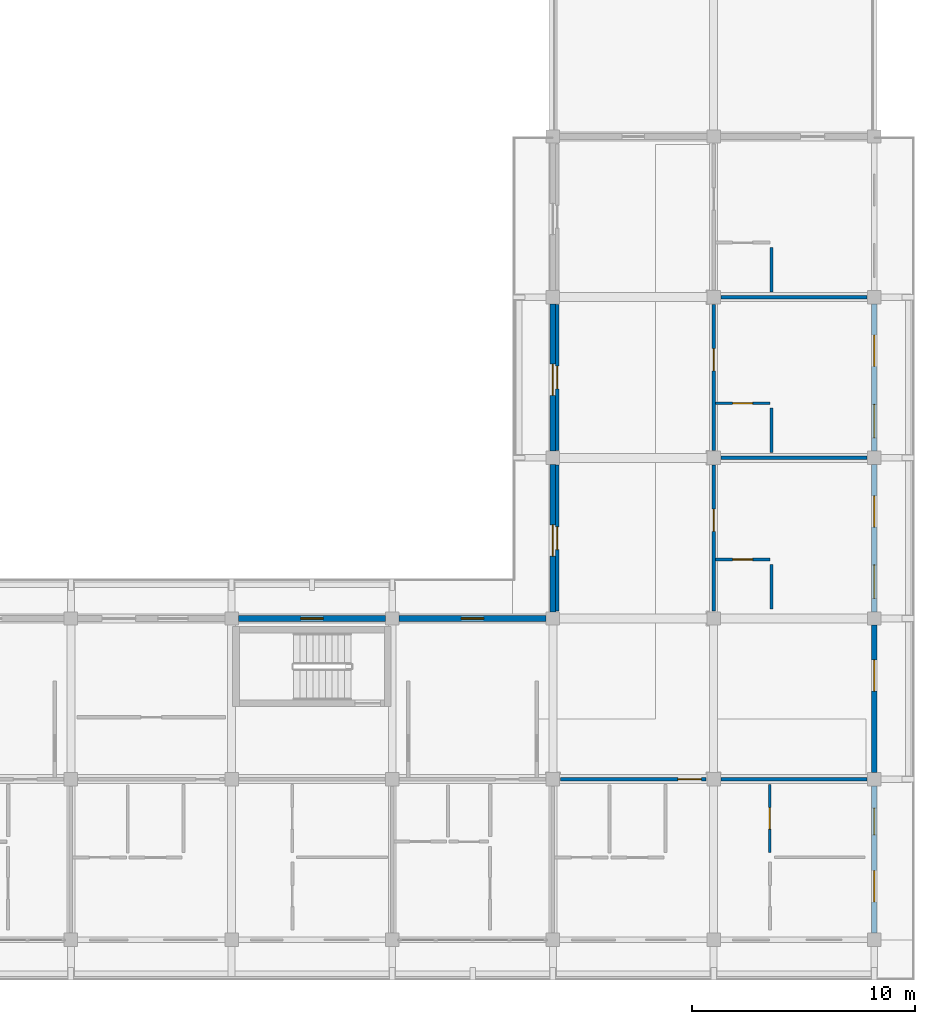
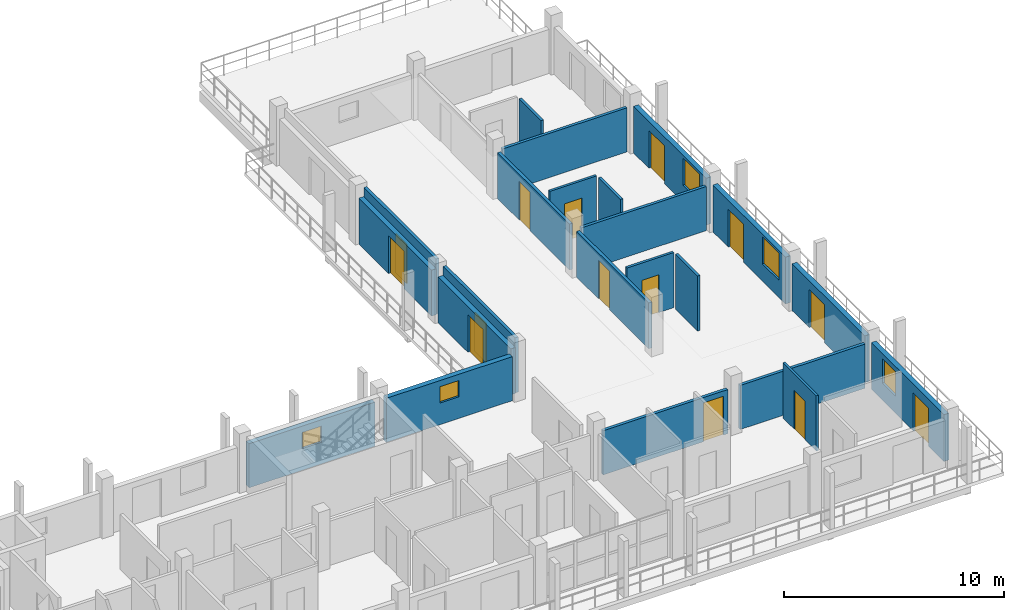
# One storey, part 52 of 75: 22 walls, 14 doors, 5 windows, 19 openings.
"""IFC4 building model written with IfcOpenShell, lengths in metres."""

from ifc_helpers import new_model, si_unit, direction, frame, frame_2d, origin, place, context, subcontext, project, spatial, rectangle, extrude, material, layer, layer_set, type_object, element, fill, save


model = new_model("IFC4")

# Units and contexts
model_context = context("Model", 3, precision=1e-05, world=origin(), true_north=direction((0.0, 1.0)))
body_context = subcontext(model_context, "Body", "Model", "MODEL_VIEW")
ifc_project = project(units=[si_unit("LENGTHUNIT", "METRE"), si_unit("AREAUNIT", "SQUARE_METRE"), si_unit("VOLUMEUNIT", "CUBIC_METRE"), si_unit("PLANEANGLEUNIT", "RADIAN"), si_unit("MASSUNIT", "GRAM", prefix="KILO")], contexts=[model_context])

# Site, building, storey
site_placement = place(None, origin())
site = spatial("IfcSite", under=ifc_project, at=site_placement, CompositionType="ELEMENT")
building_placement = place(site_placement, origin())
building = spatial("IfcBuilding", under=site, at=building_placement, Name="Suanplinth Sawtooth Commons", CompositionType="ELEMENT")
storey_placement = place(building_placement, frame((0.0, 0.0, 18.60009765625)))
storey = spatial("IfcBuildingStorey", under=building, at=storey_placement, Name="L05", CompositionType="ELEMENT", Elevation=18.60009765625)

# Wall, opening, window
ifc_material_1 = material(Name="Precast concrete C40/50", Category="concrete")
ifc_layer_1 = layer(ifc_material_1, 0.260009765625, Name="Insulated precast courtyard facade wall 260mm")
ifc_layer_set_1 = layer_set([ifc_layer_1], Name="Precast concrete C40/50")
wall_type_1 = type_object("IfcWallType", Name="W-EX02", PredefinedType="ELEMENTEDWALL", material=ifc_layer_set_1)
wall_1_placement = place(storey_placement, frame((158.699951171875, 14.39990234375, 0.0), z_axis=(0.0, 0.0, 1.0), x_axis=(1.0, 0.0, 0.0)))
wall_1 = element("IfcWall", 1, at=wall_1_placement, inside=storey, type_object=wall_type_1, Name="Facade Wall W-L05-C-N-22-1", PredefinedType="ELEMENTEDWALL", context=body_context, shape_type="SweptSolid", body=[
    extrude(rectangle(XDim=6.60009765625, YDim=0.260009765625, at=frame_2d((3.300048828125, 0.0))), origin(), (0.0, 0.0, 1.0), 2.44482421875),
])
opening_1_placement = place(wall_1_placement, frame((2.800048828125, 0.0, 1.199951171875)))
opening_1 = element("IfcOpeningElement", 2, at=opening_1_placement, cuts=wall_1, Name="Opening W0541", PredefinedType="OPENING", context=body_context, shape_type="SweptSolid", body=[
    extrude(rectangle(XDim=1.0, YDim=0.89990234375, at=frame_2d((0.5, 0.449951171875))), frame((0.0, 0.14501953125, 0.0), z_axis=(0.0, -1.0, 0.0), x_axis=(1.0, 0.0, 0.0)), (0.0, 0.0, 1.0), 0.289794921875),
])
ifc_material_2 = material(Name="Thermally broken aluminium and low-E double glazing", Category="aluminium")
window_type_1 = type_object("IfcWindowType", Name="WN-12", PartitioningType="SINGLE_PANEL", PredefinedType="WINDOW", material=ifc_material_2)
window_1_placement = place(opening_1_placement, origin())
window_1 = element("IfcWindow", 3, at=window_1_placement, inside=storey, type_object=window_type_1, Name="Core Daylight Window L05-C-22-1", OverallHeight=0.89990234375, OverallWidth=1.0, PartitioningType="SINGLE_PANEL", PredefinedType="WINDOW", context=body_context, shape_type="SweptSolid", body=[
    extrude(rectangle(XDim=1.0, YDim=0.89990234375, at=frame_2d((0.5, 0.449951171875))), frame((0.0, 0.030029296875, 0.0), z_axis=(0.0, -1.0, 0.0), x_axis=(1.0, 0.0, 0.0)), (0.0, 0.0, 1.0), 0.06005859375),
])
fill(opening_1, window_1)

wall_2_placement = place(storey_placement, frame((165.89990234375, 14.39990234375, 0.0), z_axis=(0.0, 0.0, 1.0), x_axis=(1.0, 0.0, 0.0)))
wall_2 = element("IfcWall", 4, at=wall_2_placement, inside=storey, type_object=wall_type_1, Name="Facade Wall W-L05-C-N-23-1", PredefinedType="ELEMENTEDWALL", context=body_context, shape_type="SweptSolid", body=[
    extrude(rectangle(XDim=6.60009765625, YDim=0.260009765625, at=frame_2d((3.300048828125, 0.0))), origin(), (0.0, 0.0, 1.0), 2.44482421875),
])
opening_2_placement = place(wall_2_placement, frame((2.800048828125, 0.0, 1.199951171875)))
opening_2 = element("IfcOpeningElement", 5, at=opening_2_placement, cuts=wall_2, Name="Opening W0542", PredefinedType="OPENING", context=body_context, shape_type="SweptSolid", body=[
    extrude(rectangle(XDim=1.0, YDim=0.89990234375, at=frame_2d((0.5, 0.449951171875))), frame((0.0, 0.14501953125, 0.0), z_axis=(0.0, -1.0, 0.0), x_axis=(1.0, 0.0, 0.0)), (0.0, 0.0, 1.0), 0.289794921875),
])
window_2_placement = place(opening_2_placement, origin())
window_2 = element("IfcWindow", 6, at=window_2_placement, inside=storey, type_object=window_type_1, Name="Core Daylight Window L05-C-23-1", OverallHeight=0.89990234375, OverallWidth=1.0, PartitioningType="SINGLE_PANEL", PredefinedType="WINDOW", context=body_context, shape_type="SweptSolid", body=[
    extrude(rectangle(XDim=1.0, YDim=0.89990234375, at=frame_2d((0.5, 0.449951171875))), frame((0.0, 0.030029296875, 0.0), z_axis=(0.0, -1.0, 0.0), x_axis=(1.0, 0.0, 0.0)), (0.0, 0.0, 1.0), 0.06005859375),
])
fill(opening_2, window_2)

# Wall, opening, door
wall_3_placement = place(storey_placement, frame((172.800048828125, 14.699951171875, 0.0), z_axis=(0.0, 0.0, 1.0), x_axis=(0.0, 1.0, 0.0)))
wall_3 = element("IfcWall", 7, at=wall_3_placement, inside=storey, type_object=wall_type_1, Name="Facade Wall W-L05-C-W-24-2", PredefinedType="ELEMENTEDWALL", context=body_context, shape_type="SweptSolid", body=[
    extrude(rectangle(XDim=6.60009765625, YDim=0.260009765625, at=frame_2d((3.300048828125, 0.0))), origin(), (0.0, 0.0, 1.0), 2.544921875),
])
opening_3_placement = place(wall_3_placement, frame((2.5, 0.0, 0.0)))
opening_3 = element("IfcOpeningElement", 8, at=opening_3_placement, cuts=wall_3, Name="Opening ED0451", PredefinedType="OPENING", context=body_context, shape_type="SweptSolid", body=[
    extrude(rectangle(XDim=1.39990234375, YDim=2.10009765625, at=frame_2d((0.699951171875, 1.050048828125))), frame((0.0, 0.14501953125, 0.0), z_axis=(0.0, -1.0, 0.0), x_axis=(1.0, 0.0, 0.0)), (0.0, 0.0, 1.0), 0.289794921875),
])
ifc_material_3 = material(Name="Anodized aluminium and low-E glass", Category="aluminium")
door_type_1 = type_object("IfcDoorType", Name="SD-07", OperationType="SLIDING_TO_RIGHT", PredefinedType="DOOR", material=ifc_material_3)
door_1_placement = place(opening_3_placement, frame((1.39990234375, 0.0, 0.0), z_axis=(0.0, 0.0, 1.0), x_axis=(-1.0, 0.0, 0.0)))
door_1 = element("IfcDoor", 9, at=door_1_placement, inside=storey, type_object=door_type_1, Name="Courtyard Veranda Studio Balcony Door L05-C-2", OperationType="SLIDING_TO_RIGHT", OverallHeight=2.10009765625, OverallWidth=1.39990234375, PredefinedType="DOOR", context=body_context, shape_type="SweptSolid", body=[
    extrude(rectangle(XDim=1.39990234375, YDim=2.10009765625, at=frame_2d((0.699951171875, 1.050048828125))), frame((0.0, 0.02490234375, 0.0), z_axis=(0.0, -1.0, 0.0), x_axis=(1.0, 0.0, 0.0)), (0.0, 0.0, 1.0), 0.050048828125),
])
fill(opening_3, door_1)

wall_4_placement = place(storey_placement, frame((172.800048828125, 21.89990234375, 0.0), z_axis=(0.0, 0.0, 1.0), x_axis=(0.0, 1.0, 0.0)))
wall_4 = element("IfcWall", 10, at=wall_4_placement, inside=storey, type_object=wall_type_1, Name="Facade Wall W-L05-C-W-24-3", PredefinedType="ELEMENTEDWALL", context=body_context, shape_type="SweptSolid", body=[
    extrude(rectangle(XDim=6.60009765625, YDim=0.260009765625, at=frame_2d((3.300048828125, 0.0))), origin(), (0.0, 0.0, 1.0), 2.544921875),
])
opening_4_placement = place(wall_4_placement, frame((2.5, 0.0, 0.0)))
opening_4 = element("IfcOpeningElement", 11, at=opening_4_placement, cuts=wall_4, Name="Opening ED0452", PredefinedType="OPENING", context=body_context, shape_type="SweptSolid", body=[
    extrude(rectangle(XDim=1.39990234375, YDim=2.10009765625, at=frame_2d((0.699951171875, 1.050048828125))), frame((0.0, 0.14501953125, 0.0), z_axis=(0.0, -1.0, 0.0), x_axis=(1.0, 0.0, 0.0)), (0.0, 0.0, 1.0), 0.289794921875),
])
door_2_placement = place(opening_4_placement, frame((1.39990234375, 0.0, 0.0), z_axis=(0.0, 0.0, 1.0), x_axis=(-1.0, 0.0, 0.0)))
door_2 = element("IfcDoor", 12, at=door_2_placement, inside=storey, type_object=door_type_1, Name="Courtyard Veranda Studio Balcony Door L05-C-3", OperationType="SLIDING_TO_RIGHT", OverallHeight=2.10009765625, OverallWidth=1.39990234375, PredefinedType="DOOR", context=body_context, shape_type="SweptSolid", body=[
    extrude(rectangle(XDim=1.39990234375, YDim=2.10009765625, at=frame_2d((0.699951171875, 1.050048828125))), frame((0.0, 0.02490234375, 0.0), z_axis=(0.0, -1.0, 0.0), x_axis=(1.0, 0.0, 0.0)), (0.0, 0.0, 1.0), 0.050048828125),
])
fill(opening_4, door_2)

# Wall, openings, door, window
wall_5_placement = place(storey_placement, frame((187.199951171875, 0.300048828125, 0.0), z_axis=(0.0, 0.0, 1.0), x_axis=(0.0, 1.0, 0.0)))
wall_5 = element("IfcWall", 13, at=wall_5_placement, inside=storey, type_object=wall_type_1, Name="Facade Wall W-L05-C-E-25-0", PredefinedType="ELEMENTEDWALL", context=body_context, shape_type="SweptSolid", body=[
    extrude(rectangle(XDim=6.599853515625, YDim=0.260009765625, at=frame_2d((3.2998046875, 0.0))), origin(), (0.0, 0.0, 1.0), 2.594970703125),
])
opening_5_placement = place(wall_5_placement, frame((1.39990234375, 0.0, 0.0)))
opening_5 = element("IfcOpeningElement", 14, at=opening_5_placement, cuts=wall_5, Name="Opening ED0455", PredefinedType="OPENING", context=body_context, shape_type="SweptSolid", body=[
    extrude(rectangle(XDim=1.39990234375, YDim=2.10009765625, at=frame_2d((0.699951171875, 1.050048828125))), frame((0.0, 0.14501953125, 0.0), z_axis=(0.0, -1.0, 0.0), x_axis=(1.0, 0.0, 0.0)), (0.0, 0.0, 1.0), 0.289794921875),
])
opening_6_placement = place(wall_5_placement, frame((4.39990234375, 0.0, 0.949951171875)))
opening_6 = element("IfcOpeningElement", 15, at=opening_6_placement, cuts=wall_5, Name="Opening W0546", PredefinedType="OPENING", context=body_context, shape_type="SweptSolid", body=[
    extrude(rectangle(XDim=1.199951171875, YDim=1.35009765625, at=frame_2d((0.60009765625, 0.675048828125))), frame((0.0, 0.14501953125, 0.0), z_axis=(0.0, -1.0, 0.0), x_axis=(1.0, 0.0, 0.0)), (0.0, 0.0, 1.0), 0.289794921875),
])
door_3_placement = place(opening_5_placement, frame((1.39990234375, 0.0, 0.0), z_axis=(0.0, 0.0, 1.0), x_axis=(-1.0, 0.0, 0.0)))
door_3 = element("IfcDoor", 16, at=door_3_placement, inside=storey, type_object=door_type_1, Name="End Balcony Sliding Door L05-C-E-25-0", OperationType="SLIDING_TO_RIGHT", OverallHeight=2.10009765625, OverallWidth=1.39990234375, PredefinedType="DOOR", context=body_context, shape_type="SweptSolid", body=[
    extrude(rectangle(XDim=1.39990234375, YDim=2.10009765625, at=frame_2d((0.699951171875, 1.050048828125))), frame((0.0, 0.02490234375, 0.0), z_axis=(0.0, -1.0, 0.0), x_axis=(1.0, 0.0, 0.0)), (0.0, 0.0, 1.0), 0.050048828125),
])
fill(opening_5, door_3)
window_type_2 = type_object("IfcWindowType", Name="WN-03", PartitioningType="SINGLE_PANEL", PredefinedType="WINDOW", material=ifc_material_2)
window_3_placement = place(opening_6_placement, origin())
window_3 = element("IfcWindow", 17, at=window_3_placement, inside=storey, type_object=window_type_2, Name="End Bedroom Window L05-C-25-0", OverallHeight=1.35009765625, OverallWidth=1.199951171875, PartitioningType="SINGLE_PANEL", PredefinedType="WINDOW", context=body_context, shape_type="SweptSolid", body=[
    extrude(rectangle(XDim=1.199951171875, YDim=1.35009765625, at=frame_2d((0.60009765625, 0.675048828125))), frame((0.0, 0.030029296875, 0.0), z_axis=(0.0, -1.0, 0.0), x_axis=(1.0, 0.0, 0.0)), (0.0, 0.0, 1.0), 0.06005859375),
])
fill(opening_6, window_3)

# Wall, opening, door
wall_6_placement = place(storey_placement, frame((187.199951171875, 7.5, 0.0), z_axis=(0.0, 0.0, 1.0), x_axis=(0.0, 1.0, 0.0)))
wall_6 = element("IfcWall", 18, at=wall_6_placement, inside=storey, type_object=wall_type_1, Name="Facade Wall W-L05-C-E-25-1", PredefinedType="ELEMENTEDWALL", context=body_context, shape_type="SweptSolid", body=[
    extrude(rectangle(XDim=6.60009765625, YDim=0.260009765625, at=frame_2d((3.300048828125, 0.0))), origin(), (0.0, 0.0, 1.0), 2.594970703125),
])
opening_7_placement = place(wall_6_placement, frame((3.64990234375, 0.0, 0.0)))
opening_7 = element("IfcOpeningElement", 19, at=opening_7_placement, cuts=wall_6, Name="Opening ED0456", PredefinedType="OPENING", context=body_context, shape_type="SweptSolid", body=[
    extrude(rectangle(XDim=1.39990234375, YDim=2.10009765625, at=frame_2d((0.699951171875, 1.050048828125))), frame((0.0, 0.14501953125, 0.0), z_axis=(0.0, -1.0, 0.0), x_axis=(1.0, 0.0, 0.0)), (0.0, 0.0, 1.0), 0.289794921875),
])
door_4_placement = place(opening_7_placement, frame((1.39990234375, 0.0, 0.0), z_axis=(0.0, 0.0, 1.0), x_axis=(-1.0, 0.0, 0.0)))
door_4 = element("IfcDoor", 20, at=door_4_placement, inside=storey, type_object=door_type_1, Name="End Balcony Sliding Door L05-C-E-25-1", OperationType="SLIDING_TO_RIGHT", OverallHeight=2.10009765625, OverallWidth=1.39990234375, PredefinedType="DOOR", context=body_context, shape_type="SweptSolid", body=[
    extrude(rectangle(XDim=1.39990234375, YDim=2.10009765625, at=frame_2d((0.699951171875, 1.050048828125))), frame((0.0, 0.02490234375, 0.0), z_axis=(0.0, -1.0, 0.0), x_axis=(1.0, 0.0, 0.0)), (0.0, 0.0, 1.0), 0.050048828125),
])
fill(opening_7, door_4)

# Wall, openings, door, window
wall_7_placement = place(storey_placement, frame((187.199951171875, 14.699951171875, 0.0), z_axis=(0.0, 0.0, 1.0), x_axis=(0.0, 1.0, 0.0)))
wall_7 = element("IfcWall", 21, at=wall_7_placement, inside=storey, type_object=wall_type_1, Name="Facade Wall W-L05-C-E-25-2", PredefinedType="ELEMENTEDWALL", context=body_context, shape_type="SweptSolid", body=[
    extrude(rectangle(XDim=6.60009765625, YDim=0.260009765625, at=frame_2d((3.300048828125, 0.0))), origin(), (0.0, 0.0, 1.0), 2.594970703125),
])
opening_8_placement = place(wall_7_placement, frame((3.800048828125, 0.0, 0.0)))
opening_8 = element("IfcOpeningElement", 22, at=opening_8_placement, cuts=wall_7, Name="Opening ED0457", PredefinedType="OPENING", context=body_context, shape_type="SweptSolid", body=[
    extrude(rectangle(XDim=1.39990234375, YDim=2.10009765625, at=frame_2d((0.699951171875, 1.050048828125))), frame((0.0, 0.14501953125, 0.0), z_axis=(0.0, -1.0, 0.0), x_axis=(1.0, 0.0, 0.0)), (0.0, 0.0, 1.0), 0.289794921875),
])
opening_9_placement = place(wall_7_placement, frame((0.60009765625, 0.0, 0.949951171875)))
opening_9 = element("IfcOpeningElement", 23, at=opening_9_placement, cuts=wall_7, Name="Opening W0547", PredefinedType="OPENING", context=body_context, shape_type="SweptSolid", body=[
    extrude(rectangle(XDim=1.5, YDim=1.5, at=frame_2d((0.75, 0.75))), frame((0.0, 0.14501953125, 0.0), z_axis=(0.0, -1.0, 0.0), x_axis=(1.0, 0.0, 0.0)), (0.0, 0.0, 1.0), 0.289794921875),
])
door_5_placement = place(opening_8_placement, frame((1.39990234375, 0.0, 0.0), z_axis=(0.0, 0.0, 1.0), x_axis=(-1.0, 0.0, 0.0)))
door_5 = element("IfcDoor", 24, at=door_5_placement, inside=storey, type_object=door_type_1, Name="Wing Balcony Sliding Door L05-C-2", OperationType="SLIDING_TO_RIGHT", OverallHeight=2.10009765625, OverallWidth=1.39990234375, PredefinedType="DOOR", context=body_context, shape_type="SweptSolid", body=[
    extrude(rectangle(XDim=1.39990234375, YDim=2.10009765625, at=frame_2d((0.699951171875, 1.050048828125))), frame((0.0, 0.02490234375, 0.0), z_axis=(0.0, -1.0, 0.0), x_axis=(1.0, 0.0, 0.0)), (0.0, 0.0, 1.0), 0.050048828125),
])
fill(opening_8, door_5)
window_type_3 = type_object("IfcWindowType", Name="WN-02", PartitioningType="DOUBLE_PANEL_VERTICAL", PredefinedType="WINDOW", material=ifc_material_2)
window_4_placement = place(opening_9_placement, origin())
window_4 = element("IfcWindow", 25, at=window_4_placement, inside=storey, type_object=window_type_3, Name="Wing Window L05-C-2", OverallHeight=1.5, OverallWidth=1.5, PartitioningType="DOUBLE_PANEL_VERTICAL", PredefinedType="WINDOW", context=body_context, shape_type="SweptSolid", body=[
    extrude(rectangle(XDim=1.5, YDim=1.5, at=frame_2d((0.75, 0.75))), frame((0.0, 0.030029296875, 0.0), z_axis=(0.0, -1.0, 0.0), x_axis=(1.0, 0.0, 0.0)), (0.0, 0.0, 1.0), 0.06005859375),
])
fill(opening_9, window_4)

wall_8_placement = place(storey_placement, frame((187.199951171875, 21.89990234375, 0.0), z_axis=(0.0, 0.0, 1.0), x_axis=(0.0, 1.0, 0.0)))
wall_8 = element("IfcWall", 26, at=wall_8_placement, inside=storey, type_object=wall_type_1, Name="Facade Wall W-L05-C-E-25-3", PredefinedType="ELEMENTEDWALL", context=body_context, shape_type="SweptSolid", body=[
    extrude(rectangle(XDim=6.60009765625, YDim=0.260009765625, at=frame_2d((3.300048828125, 0.0))), origin(), (0.0, 0.0, 1.0), 2.594970703125),
])
opening_10_placement = place(wall_8_placement, frame((3.800048828125, 0.0, 0.0)))
opening_10 = element("IfcOpeningElement", 27, at=opening_10_placement, cuts=wall_8, Name="Opening ED0458", PredefinedType="OPENING", context=body_context, shape_type="SweptSolid", body=[
    extrude(rectangle(XDim=1.39990234375, YDim=2.10009765625, at=frame_2d((0.699951171875, 1.050048828125))), frame((0.0, 0.14501953125, 0.0), z_axis=(0.0, -1.0, 0.0), x_axis=(1.0, 0.0, 0.0)), (0.0, 0.0, 1.0), 0.289794921875),
])
opening_11_placement = place(wall_8_placement, frame((0.60009765625, 0.0, 0.949951171875)))
opening_11 = element("IfcOpeningElement", 28, at=opening_11_placement, cuts=wall_8, Name="Opening W0548", PredefinedType="OPENING", context=body_context, shape_type="SweptSolid", body=[
    extrude(rectangle(XDim=1.5, YDim=1.5, at=frame_2d((0.75, 0.75))), frame((0.0, 0.14501953125, 0.0), z_axis=(0.0, -1.0, 0.0), x_axis=(1.0, 0.0, 0.0)), (0.0, 0.0, 1.0), 0.289794921875),
])
door_6_placement = place(opening_10_placement, frame((1.39990234375, 0.0, 0.0), z_axis=(0.0, 0.0, 1.0), x_axis=(-1.0, 0.0, 0.0)))
door_6 = element("IfcDoor", 29, at=door_6_placement, inside=storey, type_object=door_type_1, Name="Wing Balcony Sliding Door L05-C-3", OperationType="SLIDING_TO_RIGHT", OverallHeight=2.10009765625, OverallWidth=1.39990234375, PredefinedType="DOOR", context=body_context, shape_type="SweptSolid", body=[
    extrude(rectangle(XDim=1.39990234375, YDim=2.10009765625, at=frame_2d((0.699951171875, 1.050048828125))), frame((0.0, 0.02490234375, 0.0), z_axis=(0.0, -1.0, 0.0), x_axis=(1.0, 0.0, 0.0)), (0.0, 0.0, 1.0), 0.050048828125),
])
fill(opening_10, door_6)
window_5_placement = place(opening_11_placement, origin())
window_5 = element("IfcWindow", 30, at=window_5_placement, inside=storey, type_object=window_type_3, Name="Wing Window L05-C-3", OverallHeight=1.5, OverallWidth=1.5, PartitioningType="DOUBLE_PANEL_VERTICAL", PredefinedType="WINDOW", context=body_context, shape_type="SweptSolid", body=[
    extrude(rectangle(XDim=1.5, YDim=1.5, at=frame_2d((0.75, 0.75))), frame((0.0, 0.030029296875, 0.0), z_axis=(0.0, -1.0, 0.0), x_axis=(1.0, 0.0, 0.0)), (0.0, 0.0, 1.0), 0.06005859375),
])
fill(opening_11, window_5)

# Wall, opening, door
ifc_layer_2 = layer(ifc_material_1, 0.159912109375, Name="Fire-rated corridor and lobby wall 160mm")
ifc_layer_set_2 = layer_set([ifc_layer_2], Name="Precast concrete C40/50")
wall_type_2 = type_object("IfcWallType", Name="W-FW01", PredefinedType="PARTITIONING", material=ifc_layer_set_2)
wall_9_placement = place(storey_placement, frame((173.1298828125, 7.199951171875, 0.0), z_axis=(0.0, 0.0, 1.0), x_axis=(1.0, 0.0, 0.0)))
wall_9 = element("IfcWall", 31, at=wall_9_placement, inside=storey, type_object=wall_type_2, Name="W-C-L05-U05-COR-S1", PredefinedType="PARTITIONING", context=body_context, shape_type="SweptSolid", body=[
    extrude(rectangle(XDim=6.5400390625, YDim=0.159912109375, at=frame_2d((3.27001953125, 0.0))), origin(), (0.0, 0.0, 1.0), 2.44482421875),
])
opening_12_placement = place(wall_9_placement, frame((5.27490234375, 0.0, 0.0)))
opening_12 = element("IfcOpeningElement", 32, at=opening_12_placement, cuts=wall_9, Name="Opening FD1309", PredefinedType="OPENING", context=body_context, shape_type="SweptSolid", body=[
    extrude(rectangle(XDim=1.050048828125, YDim=2.14990234375, at=frame_2d((0.52490234375, 1.074951171875))), frame((0.0, 0.0947265625, 0.0), z_axis=(0.0, -1.0, 0.0), x_axis=(1.0, 0.0, 0.0)), (0.0, 0.0, 1.0), 0.189697265625),
])
ifc_material_4 = material(Name="Teak hardwood fire-rated door assembly", Category="wood")
door_type_2 = type_object("IfcDoorType", Name="FD-04", OperationType="NOTDEFINED", PredefinedType="DOOR", material=ifc_material_4)
door_7_placement = place(opening_12_placement, frame((1.050048828125, 0.0, 0.0), z_axis=(0.0, 0.0, 1.0), x_axis=(-1.0, 0.0, 0.0)))
door_7 = element("IfcDoor", 33, at=door_7_placement, inside=storey, type_object=door_type_2, Name="Unit Entrance Door FD1309", OperationType="SINGLE_SWING_LEFT", OverallHeight=2.14990234375, OverallWidth=1.050048828125, PredefinedType="DOOR", context=body_context, shape_type="SweptSolid", body=[
    extrude(rectangle(XDim=1.050048828125, YDim=2.14990234375, at=frame_2d((0.52490234375, 1.074951171875))), frame((0.0, 0.02490234375, 0.0), z_axis=(0.0, -1.0, 0.0), x_axis=(1.0, 0.0, 0.0)), (0.0, 0.0, 1.0), 0.050048828125),
])
fill(opening_12, door_7)

# Wall
wall_10_placement = place(storey_placement, frame((180.330078125, 7.199951171875, 0.0), z_axis=(0.0, 0.0, 1.0), x_axis=(1.0, 0.0, 0.0)))
element("IfcWall", 34, at=wall_10_placement, inside=storey, type_object=wall_type_2, Name="W-C-L05-U05-COR-S2", PredefinedType="PARTITIONING", context=body_context, shape_type="SweptSolid", body=[
    extrude(rectangle(XDim=6.5400390625, YDim=0.159912109375, at=frame_2d((3.27001953125, 0.0))), origin(), (0.0, 0.0, 1.0), 2.44482421875),
])

# Wall, opening, door
wall_11_placement = place(storey_placement, frame((180.0, 14.72998046875, 0.0), z_axis=(0.0, 0.0, 1.0), x_axis=(0.0, 1.0, 0.0)))
wall_11 = element("IfcWall", 35, at=wall_11_placement, inside=storey, type_object=wall_type_2, Name="W-C-L05-L01-COR", PredefinedType="PARTITIONING", context=body_context, shape_type="SweptSolid", body=[
    extrude(rectangle(XDim=6.5400390625, YDim=0.159912109375, at=frame_2d((3.27001953125, 0.0))), origin(), (0.0, 0.0, 1.0), 2.544921875),
])
opening_13_placement = place(wall_11_placement, frame((3.570068359375, 0.0, 0.0)))
opening_13 = element("IfcOpeningElement", 36, at=opening_13_placement, cuts=wall_11, Name="Opening FD1316", PredefinedType="OPENING", context=body_context, shape_type="SweptSolid", body=[
    extrude(rectangle(XDim=1.0, YDim=2.14990234375, at=frame_2d((0.5, 1.074951171875))), frame((0.0, 0.0947265625, 0.0), z_axis=(0.0, -1.0, 0.0), x_axis=(1.0, 0.0, 0.0)), (0.0, 0.0, 1.0), 0.189697265625),
])
door_type_3 = type_object("IfcDoorType", Name="FD-03", OperationType="NOTDEFINED", PredefinedType="DOOR", material=ifc_material_4)
door_8_placement = place(opening_13_placement, frame((1.0, 0.0, 0.0), z_axis=(0.0, 0.0, 1.0), x_axis=(-1.0, 0.0, 0.0)))
door_8 = element("IfcDoor", 37, at=door_8_placement, inside=storey, type_object=door_type_3, Name="Wing Unit Entrance Door FD1316", OperationType="SINGLE_SWING_RIGHT", OverallHeight=2.14990234375, OverallWidth=1.0, PredefinedType="DOOR", context=body_context, shape_type="SweptSolid", body=[
    extrude(rectangle(XDim=1.0, YDim=2.14990234375, at=frame_2d((0.5, 1.074951171875))), frame((0.0, 0.02490234375, 0.0), z_axis=(0.0, -1.0, 0.0), x_axis=(1.0, 0.0, 0.0)), (0.0, 0.0, 1.0), 0.050048828125),
])
fill(opening_13, door_8)

wall_12_placement = place(storey_placement, frame((173.0, 14.72998046875, 0.0), z_axis=(0.0, 0.0, 1.0), x_axis=(0.0, 1.0, 0.0)))
wall_12 = element("IfcWall", 38, at=wall_12_placement, inside=storey, type_object=wall_type_2, Name="W-C-L05-LEGCOURTROOM-49-COR", PredefinedType="PARTITIONING", context=body_context, shape_type="SweptSolid", body=[
    extrude(rectangle(XDim=6.5400390625, YDim=0.159912109375, at=frame_2d((3.27001953125, 0.0))), origin(), (0.0, 0.0, 1.0), 3.059814453125),
])
opening_14_placement = place(wall_12_placement, frame((2.760009765625, 0.0, 0.0)))
opening_14 = element("IfcOpeningElement", 39, at=opening_14_placement, cuts=wall_12, Name="Opening D1318", PredefinedType="OPENING", context=body_context, shape_type="SweptSolid", body=[
    extrude(rectangle(XDim=1.02001953125, YDim=2.179931640625, at=frame_2d((0.510009765625, 1.08984375))), frame((0.0, 0.0947265625, 0.0), z_axis=(0.0, -1.0, 0.0), x_axis=(1.0, 0.0, 0.0)), (0.0, 0.0, 1.0), 0.189697265625),
])
ifc_material_5 = material(Name="Teak hardwood", Category="wood")
door_type_4 = type_object("IfcDoorType", Name="D-16", OperationType="NOTDEFINED", PredefinedType="DOOR", material=ifc_material_5)
door_9_placement = place(opening_14_placement, origin())
door_9 = element("IfcDoor", 40, at=door_9_placement, inside=storey, type_object=door_type_4, Name="Veranda Studio Door D1318", OperationType="SINGLE_SWING_RIGHT", OverallHeight=2.179931640625, OverallWidth=1.02001953125, PredefinedType="DOOR", context=body_context, shape_type="SweptSolid", body=[
    extrude(rectangle(XDim=1.02001953125, YDim=2.179931640625, at=frame_2d((0.510009765625, 1.08984375))), frame((0.0, 0.02490234375, 0.0), z_axis=(0.0, -1.0, 0.0), x_axis=(1.0, 0.0, 0.0)), (0.0, 0.0, 1.0), 0.050048828125),
])
fill(opening_14, door_9)

wall_13_placement = place(storey_placement, frame((180.0, 21.929931640625, 0.0), z_axis=(0.0, 0.0, 1.0), x_axis=(0.0, 1.0, 0.0)))
wall_13 = element("IfcWall", 41, at=wall_13_placement, inside=storey, type_object=wall_type_2, Name="W-C-L05-L02-COR", PredefinedType="PARTITIONING", context=body_context, shape_type="SweptSolid", body=[
    extrude(rectangle(XDim=6.5400390625, YDim=0.159912109375, at=frame_2d((3.27001953125, 0.0))), origin(), (0.0, 0.0, 1.0), 2.544921875),
])
opening_15_placement = place(wall_13_placement, frame((3.570068359375, 0.0, 0.0)))
opening_15 = element("IfcOpeningElement", 42, at=opening_15_placement, cuts=wall_13, Name="Opening FD1319", PredefinedType="OPENING", context=body_context, shape_type="SweptSolid", body=[
    extrude(rectangle(XDim=1.0, YDim=2.14990234375, at=frame_2d((0.5, 1.074951171875))), frame((0.0, 0.0947265625, 0.0), z_axis=(0.0, -1.0, 0.0), x_axis=(1.0, 0.0, 0.0)), (0.0, 0.0, 1.0), 0.189697265625),
])
door_10_placement = place(opening_15_placement, frame((1.0, 0.0, 0.0), z_axis=(0.0, 0.0, 1.0), x_axis=(-1.0, 0.0, 0.0)))
door_10 = element("IfcDoor", 43, at=door_10_placement, inside=storey, type_object=door_type_3, Name="Wing Unit Entrance Door FD1319", OperationType="SINGLE_SWING_LEFT", OverallHeight=2.14990234375, OverallWidth=1.0, PredefinedType="DOOR", context=body_context, shape_type="SweptSolid", body=[
    extrude(rectangle(XDim=1.0, YDim=2.14990234375, at=frame_2d((0.5, 1.074951171875))), frame((0.0, 0.02490234375, 0.0), z_axis=(0.0, -1.0, 0.0), x_axis=(1.0, 0.0, 0.0)), (0.0, 0.0, 1.0), 0.050048828125),
])
fill(opening_15, door_10)

wall_14_placement = place(storey_placement, frame((173.0, 21.929931640625, 0.0), z_axis=(0.0, 0.0, 1.0), x_axis=(0.0, 1.0, 0.0)))
wall_14 = element("IfcWall", 44, at=wall_14_placement, inside=storey, type_object=wall_type_2, Name="W-C-L05-LEGCOURTROOM-51-COR", PredefinedType="PARTITIONING", context=body_context, shape_type="SweptSolid", body=[
    extrude(rectangle(XDim=6.5400390625, YDim=0.159912109375, at=frame_2d((3.27001953125, 0.0))), origin(), (0.0, 0.0, 1.0), 3.059814453125),
])
opening_16_placement = place(wall_14_placement, frame((2.760009765625, 0.0, 0.0)))
opening_16 = element("IfcOpeningElement", 45, at=opening_16_placement, cuts=wall_14, Name="Opening D1321", PredefinedType="OPENING", context=body_context, shape_type="SweptSolid", body=[
    extrude(rectangle(XDim=1.02001953125, YDim=2.179931640625, at=frame_2d((0.510009765625, 1.08984375))), frame((0.0, 0.0947265625, 0.0), z_axis=(0.0, -1.0, 0.0), x_axis=(1.0, 0.0, 0.0)), (0.0, 0.0, 1.0), 0.189697265625),
])
door_11_placement = place(opening_16_placement, origin())
door_11 = element("IfcDoor", 46, at=door_11_placement, inside=storey, type_object=door_type_4, Name="Veranda Studio Door D1321", OperationType="SINGLE_SWING_LEFT", OverallHeight=2.179931640625, OverallWidth=1.02001953125, PredefinedType="DOOR", context=body_context, shape_type="SweptSolid", body=[
    extrude(rectangle(XDim=1.02001953125, YDim=2.179931640625, at=frame_2d((0.510009765625, 1.08984375))), frame((0.0, 0.02490234375, 0.0), z_axis=(0.0, -1.0, 0.0), x_axis=(1.0, 0.0, 0.0)), (0.0, 0.0, 1.0), 0.050048828125),
])
fill(opening_16, door_11)

# Walls
ifc_layer_3 = layer(ifc_material_1, 0.14990234375, Name="Acoustic precast party demising wall 150mm")
ifc_layer_set_3 = layer_set([ifc_layer_3], Name="Precast concrete C40/50")
wall_type_3 = type_object("IfcWallType", Name="W-FW02", PredefinedType="PARTITIONING", material=ifc_layer_set_3)
for number, where, z_axis, x_axis, name in (
    (47, (180.330078125, 21.60009765625, 0.0), (0.0, 0.0, 1.0), (1.0, 0.0, 0.0), "W-C-L05-L01-PTY"),
    (48, (180.330078125, 28.800048828125, 0.0), (0.0, 0.0, 1.0), (1.0, 0.0, 0.0), "W-C-L05-L02-PTY"),
):
    element("IfcWall", number, at=place(storey_placement, frame(where, z_axis=z_axis, x_axis=x_axis)), inside=storey, type_object=wall_type_3, Name=name, PredefinedType="PARTITIONING", context=body_context, shape_type="SweptSolid", body=[
        extrude(rectangle(XDim=6.5400390625, YDim=0.14990234375, at=frame_2d((3.27001953125, 0.0))), origin(), (0.0, 0.0, 1.0), 2.44482421875),
    ])

# Wall, opening, door
ifc_material_6 = material(Name="Gypsum plasterboard on steel stud", Category="steel")
ifc_layer_4 = layer(ifc_material_6, 0.1298828125, Name="Moisture-resistant bathroom partition 130mm")
ifc_layer_set_4 = layer_set([ifc_layer_4], Name="Gypsum plasterboard on steel stud")
wall_type_4 = type_object("IfcWallType", Name="W-PT02", PredefinedType="PARTITIONING", material=ifc_layer_set_4)
wall_15_placement = place(storey_placement, frame((180.080078125, 17.044921875, 0.0), z_axis=(0.0, 0.0, 1.0), x_axis=(1.0, 0.0, 0.0)))
wall_15 = element("IfcWall", 49, at=wall_15_placement, inside=storey, type_object=wall_type_4, Name="W-C-L05-L01-BTH1", PredefinedType="PARTITIONING", context=body_context, shape_type="SweptSolid", body=[
    extrude(rectangle(XDim=2.449951171875, YDim=0.1298828125, at=frame_2d((1.22509765625, 0.0))), origin(), (0.0, 0.0, 1.0), 3.059814453125),
])
opening_17_placement = place(wall_15_placement, frame((0.77490234375, 0.0, 0.0)))
opening_17 = element("IfcOpeningElement", 50, at=opening_17_placement, cuts=wall_15, Name="Opening D1317", PredefinedType="OPENING", context=body_context, shape_type="SweptSolid", body=[
    extrude(rectangle(XDim=0.89990234375, YDim=2.10009765625, at=frame_2d((0.449951171875, 1.050048828125))), frame((0.0, 0.079833984375, 0.0), z_axis=(0.0, -1.0, 0.0), x_axis=(1.0, 0.0, 0.0)), (0.0, 0.0, 1.0), 0.15966796875),
])
door_type_5 = type_object("IfcDoorType", Name="D-01", OperationType="NOTDEFINED", PredefinedType="DOOR", material=ifc_material_5)
door_12_placement = place(opening_17_placement, frame((0.89990234375, 0.0, 0.0), z_axis=(0.0, 0.0, 1.0), x_axis=(-1.0, 0.0, 0.0)))
door_12 = element("IfcDoor", 51, at=door_12_placement, inside=storey, type_object=door_type_5, Name="Bathroom Door D1317", OperationType="SINGLE_SWING_LEFT", OverallHeight=2.10009765625, OverallWidth=0.89990234375, PredefinedType="DOOR", context=body_context, shape_type="SweptSolid", body=[
    extrude(rectangle(XDim=0.89990234375, YDim=2.10009765625, at=frame_2d((0.449951171875, 1.050048828125))), frame((0.0, 0.02490234375, 0.0), z_axis=(0.0, -1.0, 0.0), x_axis=(1.0, 0.0, 0.0)), (0.0, 0.0, 1.0), 0.050048828125),
])
fill(opening_17, door_12)

# Wall
wall_16_placement = place(storey_placement, frame((182.594970703125, 14.830078125, 0.0), z_axis=(0.0, 0.0, 1.0), x_axis=(0.0, 1.0, 0.0)))
element("IfcWall", 52, at=wall_16_placement, inside=storey, type_object=wall_type_4, Name="W-C-L05-L01-BTH2", PredefinedType="PARTITIONING", context=body_context, shape_type="SweptSolid", body=[
    extrude(rectangle(XDim=2.0, YDim=0.1298828125, at=frame_2d((1.0, 0.0))), origin(), (0.0, 0.0, 1.0), 3.059814453125),
])

# Wall, opening, door
wall_17_placement = place(storey_placement, frame((180.080078125, 24.044921875, 0.0), z_axis=(0.0, 0.0, 1.0), x_axis=(1.0, 0.0, 0.0)))
wall_17 = element("IfcWall", 53, at=wall_17_placement, inside=storey, type_object=wall_type_4, Name="W-C-L05-L02-BTH1", PredefinedType="PARTITIONING", context=body_context, shape_type="SweptSolid", body=[
    extrude(rectangle(XDim=2.449951171875, YDim=0.1298828125, at=frame_2d((1.22509765625, 0.0))), origin(), (0.0, 0.0, 1.0), 3.059814453125),
])
opening_18_placement = place(wall_17_placement, frame((0.77490234375, 0.0, 0.0)))
opening_18 = element("IfcOpeningElement", 54, at=opening_18_placement, cuts=wall_17, Name="Opening D1320", PredefinedType="OPENING", context=body_context, shape_type="SweptSolid", body=[
    extrude(rectangle(XDim=0.89990234375, YDim=2.10009765625, at=frame_2d((0.449951171875, 1.050048828125))), frame((0.0, 0.079833984375, 0.0), z_axis=(0.0, -1.0, 0.0), x_axis=(1.0, 0.0, 0.0)), (0.0, 0.0, 1.0), 0.15966796875),
])
door_13_placement = place(opening_18_placement, frame((0.89990234375, 0.0, 0.0), z_axis=(0.0, 0.0, 1.0), x_axis=(-1.0, 0.0, 0.0)))
door_13 = element("IfcDoor", 55, at=door_13_placement, inside=storey, type_object=door_type_5, Name="Bathroom Door D1320", OperationType="SINGLE_SWING_RIGHT", OverallHeight=2.10009765625, OverallWidth=0.89990234375, PredefinedType="DOOR", context=body_context, shape_type="SweptSolid", body=[
    extrude(rectangle(XDim=0.89990234375, YDim=2.10009765625, at=frame_2d((0.449951171875, 1.050048828125))), frame((0.0, 0.02490234375, 0.0), z_axis=(0.0, -1.0, 0.0), x_axis=(1.0, 0.0, 0.0)), (0.0, 0.0, 1.0), 0.050048828125),
])
fill(opening_18, door_13)

# Walls
for number, where, z_axis, x_axis, name in (
    (56, (182.594970703125, 21.830078125, 0.0), (0.0, 0.0, 1.0), (0.0, 1.0, 0.0), "W-C-L05-L02-BTH2"),
    (57, (182.594970703125, 29.030029296875, 0.0), (0.0, 0.0, 1.0), (0.0, 1.0, 0.0), "W-C-L05-L03-BTH2"),
):
    element("IfcWall", number, at=place(storey_placement, frame(where, z_axis=z_axis, x_axis=x_axis)), inside=storey, type_object=wall_type_4, Name=name, PredefinedType="PARTITIONING", context=body_context, shape_type="SweptSolid", body=[
        extrude(rectangle(XDim=2.0, YDim=0.1298828125, at=frame_2d((1.0, 0.0))), origin(), (0.0, 0.0, 1.0), 3.059814453125),
    ])

# Wall, opening, door
ifc_layer_5 = layer(ifc_material_6, 0.1201171875, Name="Acoustic bedroom partition 120mm")
ifc_layer_set_5 = layer_set([ifc_layer_5], Name="Gypsum plasterboard on steel stud")
wall_type_5 = type_object("IfcWallType", Name="W-PT03", PredefinedType="PARTITIONING", material=ifc_layer_set_5)
wall_18_placement = place(storey_placement, frame((182.52001953125, 3.919921875, 0.0), z_axis=(0.0, 0.0, 1.0), x_axis=(0.0, 1.0, 0.0)))
wall_18 = element("IfcWall", 58, at=wall_18_placement, inside=storey, type_object=wall_type_5, Name="W-C-L05-U05-BED2", PredefinedType="PARTITIONING", context=body_context, shape_type="SweptSolid", body=[
    extrude(rectangle(XDim=3.0400390625, YDim=0.1201171875, at=frame_2d((1.52001953125, 0.0))), origin(), (0.0, 0.0, 1.0), 3.059814453125),
])
opening_19_placement = place(wall_18_placement, frame((1.0400390625, 0.0, 0.0)))
opening_19 = element("IfcOpeningElement", 59, at=opening_19_placement, cuts=wall_18, Name="Opening D1313", PredefinedType="OPENING", context=body_context, shape_type="SweptSolid", body=[
    extrude(rectangle(XDim=0.9599609375, YDim=2.14990234375, at=frame_2d((0.47998046875, 1.074951171875))), frame((0.0, 0.074951171875, 0.0), z_axis=(0.0, -1.0, 0.0), x_axis=(1.0, 0.0, 0.0)), (0.0, 0.0, 1.0), 0.14990234375),
])
door_type_6 = type_object("IfcDoorType", Name="D-13", OperationType="NOTDEFINED", PredefinedType="DOOR", material=ifc_material_5)
door_14_placement = place(opening_19_placement, frame((0.9599609375, 0.0, 0.0), z_axis=(0.0, 0.0, 1.0), x_axis=(-1.0, 0.0, 0.0)))
door_14 = element("IfcDoor", 60, at=door_14_placement, inside=storey, type_object=door_type_6, Name="Second Bedroom Door D1313", OperationType="SINGLE_SWING_LEFT", OverallHeight=2.14990234375, OverallWidth=0.9599609375, PredefinedType="DOOR", context=body_context, shape_type="SweptSolid", body=[
    extrude(rectangle(XDim=0.9599609375, YDim=2.14990234375, at=frame_2d((0.47998046875, 1.074951171875))), frame((0.0, 0.02490234375, 0.0), z_axis=(0.0, -1.0, 0.0), x_axis=(1.0, 0.0, 0.0)), (0.0, 0.0, 1.0), 0.050048828125),
])
fill(opening_19, door_14)

save(model, "model.ifc")
